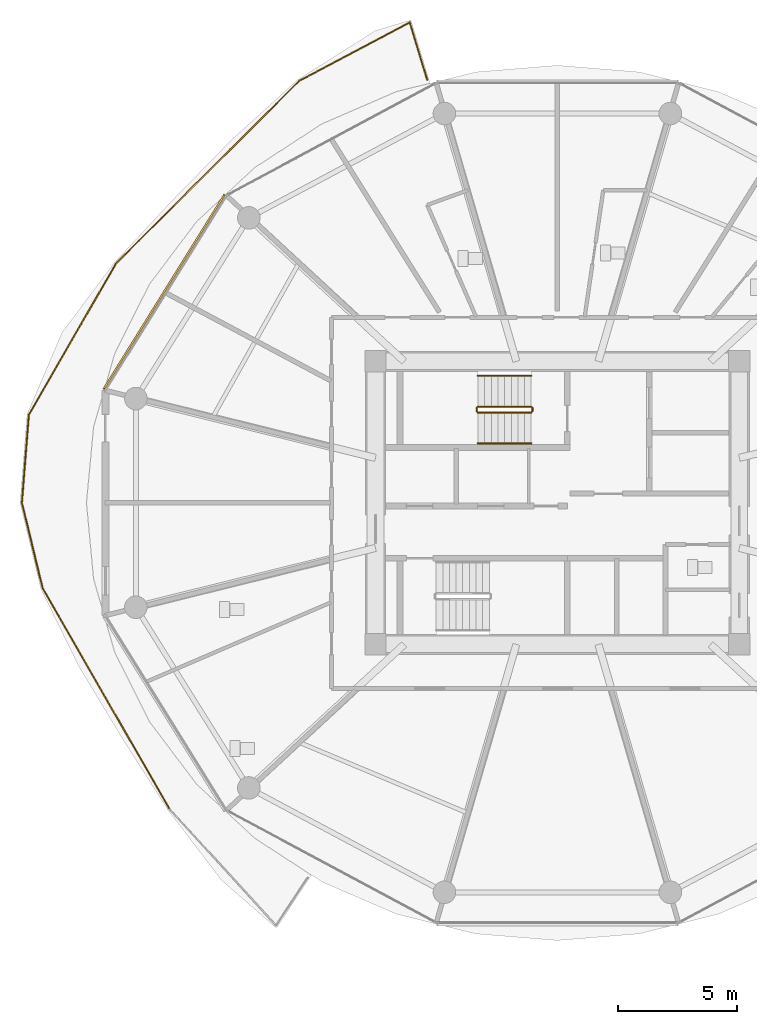
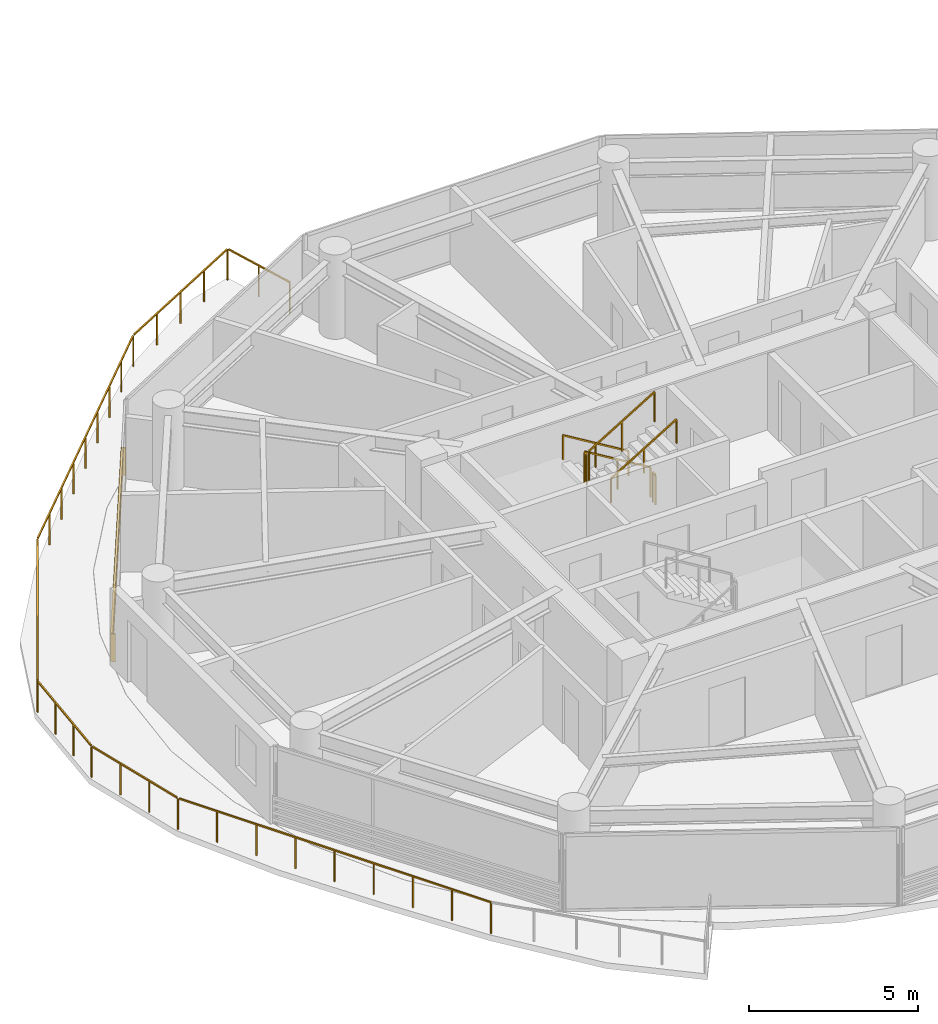
# One storey, part 23 of 27: 7 railings, 1 shading device.
"""IFC4 building model written with IfcOpenShell, lengths in metres."""

import ifcopenshell
import ifcopenshell.guid

model = None  # the IFC model being written
_history = None  # IfcOwnerHistory: only IFC2X3 demands one
_inside = {}  # id of a spatial element -> (the spatial element, [elements in it])
_under = {}  # id of a project, library or spatial element -> (it, [spatial elements below it])
_declared = {}  # id of a project -> (the project, [libraries it declares])
_typed = {}  # id of a type object -> (the type object, [elements of that type])
_made_of = {}  # id of a material, layer set ... -> (it, [elements and type objects made of it])


def new_model(schema):
    """Start an empty IFC model of exactly this schema.

    Asked for "IFC4X3", IfcOpenShell would pick the latest addendum, in which some entities
    have other attributes; the version numbers below select the first issue.
    IFC2X3 requires an IfcOwnerHistory on every rooted entity: one is made here for all.
    """
    global model, _history
    if schema == "IFC4X3":
        model = ifcopenshell.file(schema_version=(4, 3, 0, 0))
    else:
        model = ifcopenshell.file(schema=schema)
    _inside.clear()
    _under.clear()
    _declared.clear()
    _typed.clear()
    _made_of.clear()
    _history = None
    if model.schema == "IFC2X3":
        org = make("IfcOrganization", Name="unknown")
        user = make(
            "IfcPersonAndOrganization",
            ThePerson=make("IfcPerson", FamilyName="unknown"),
            TheOrganization=org,
        )
        app = make(
            "IfcApplication",
            ApplicationDeveloper=org,
            Version="unknown",
            ApplicationFullName="unknown",
            ApplicationIdentifier="unknown",
        )
        _history = make(
            "IfcOwnerHistory",
            OwningUser=user,
            OwningApplication=app,
            ChangeAction="ADDED",
            CreationDate=0,
        )
    return model


def make(cls, **values):
    """One entity of the class cls with the attributes given. An attribute that is None is left unset."""
    return model.create_entity(
        cls, **{name: value for name, value in values.items() if value is not None}
    )


def rooted(cls, **values):
    """An entity with a GlobalId (a new one), such as an element, a storey or a relation."""
    return make(cls, GlobalId=ifcopenshell.guid.new(), OwnerHistory=_history, **values)


def si_unit(unit_type, name, prefix=None):
    """IfcSIUnit, for example si_unit("LENGTHUNIT", "METRE", prefix="MILLI")."""
    return make("IfcSIUnit", UnitType=unit_type, Prefix=prefix, Name=name)


def assignment(units):
    """IfcUnitAssignment: the units of a project."""
    return None if units is None else make("IfcUnitAssignment", Units=units)


def point(xyz):
    """IfcCartesianPoint."""
    return None if xyz is None else make("IfcCartesianPoint", Coordinates=xyz)


def direction(xyz):
    """IfcDirection."""
    return None if xyz is None else make("IfcDirection", DirectionRatios=xyz)


def frame(location, z_axis=None, x_axis=None):
    """IfcAxis2Placement3D, a coordinate frame: its origin and axes. An axis left out is left unset."""
    return make(
        "IfcAxis2Placement3D",
        Location=point(location),
        Axis=direction(z_axis),
        RefDirection=direction(x_axis),
    )


def frame_2d(location, x_axis=None):
    """IfcAxis2Placement2D, a coordinate frame in the plane: its origin and x axis."""
    return make(
        "IfcAxis2Placement2D", Location=point(location), RefDirection=direction(x_axis)
    )


def origin():
    """The frame at (0, 0, 0) with its axes left unset."""
    return frame((0.0, 0.0, 0.0))


def origin_2d():
    """The frame at (0, 0) in the plane with its x axis left unset."""
    return frame_2d((0.0, 0.0))


def place(relative_to, where):
    """IfcLocalPlacement: puts the frame where relative to a parent placement (None: the world)."""
    return make(
        "IfcLocalPlacement", PlacementRelTo=relative_to, RelativePlacement=where
    )


def context(
    kind, dimensions, precision=None, world=None, true_north=None, identifier=None
):
    """IfcGeometricRepresentationContext, for example the 3D "Model" context."""
    return make(
        "IfcGeometricRepresentationContext",
        ContextIdentifier=identifier,
        ContextType=kind,
        CoordinateSpaceDimension=dimensions,
        Precision=precision,
        WorldCoordinateSystem=world,
        TrueNorth=true_north,
    )


def subcontext(parent, identifier, kind, view, scale=None):
    """IfcGeometricRepresentationSubContext, for example "Body" below "Model"."""
    return make(
        "IfcGeometricRepresentationSubContext",
        ContextIdentifier=identifier,
        ContextType=kind,
        ParentContext=parent,
        TargetScale=scale,
        TargetView=view,
    )


def project(units=None, contexts=None):
    """IfcProject with its units and contexts."""
    return rooted(
        "IfcProject",
        Name="project",
        RepresentationContexts=contexts,
        UnitsInContext=assignment(units),
    )


def spatial(cls, under=None, at=None, **own):
    """A site, building, storey or space (cls), placed at a placement, below another one or the project."""
    s = rooted(cls, ObjectPlacement=at, **own)
    if under is not None:
        _under.setdefault(under.id(), (under, []))[1].append(s)
    return s


def profile(cls, at=None, kind="AREA", **sizes):
    """A parametric profile (cls). Its sizes go by their IFC names, for example OverallWidth=200.0."""
    return make(cls, ProfileType=kind, Position=at, **sizes)


def rectangle(**sizes):
    """IfcRectangleProfileDef."""
    return profile("IfcRectangleProfileDef", **sizes)


def extrude(swept, where, along, depth):
    """IfcExtrudedAreaSolid: the profile swept, set in the frame where, extruded along a direction by depth."""
    return make(
        "IfcExtrudedAreaSolid",
        SweptArea=swept,
        Position=where,
        ExtrudedDirection=direction(along),
        Depth=depth,
    )


def shape(context_of_items, identifier, shape_type, items):
    """IfcShapeRepresentation: the items that make up one representation, for example the "Body"."""
    return make(
        "IfcShapeRepresentation",
        ContextOfItems=context_of_items,
        RepresentationIdentifier=identifier,
        RepresentationType=shape_type,
        Items=items,
    )


def source(mapping_origin, context_of_items, identifier, shape_type, items):
    """IfcRepresentationMap: a shape defined once, which mapped items show again and again."""
    return make(
        "IfcRepresentationMap",
        MappingOrigin=mapping_origin,
        MappedRepresentation=shape(context_of_items, identifier, shape_type, items),
    )


def transform(
    local_origin,
    x_axis=None,
    y_axis=None,
    z_axis=None,
    scale=None,
    scale2=None,
    scale3=None,
    uniform=True,
):
    """IfcCartesianTransformationOperator3D, or its non-uniform kind. x_axis, y_axis, z_axis: its Axis1, 2, 3."""
    if uniform:
        return make(
            "IfcCartesianTransformationOperator3D",
            Axis1=direction(x_axis),
            Axis2=direction(y_axis),
            LocalOrigin=point(local_origin),
            Scale=scale,
            Axis3=direction(z_axis),
        )
    return make(
        "IfcCartesianTransformationOperator3DnonUniform",
        Axis1=direction(x_axis),
        Axis2=direction(y_axis),
        LocalOrigin=point(local_origin),
        Scale=scale,
        Axis3=direction(z_axis),
        Scale2=scale2,
        Scale3=scale3,
    )


def mapped(mapping_source, mapping_target):
    """IfcMappedItem: shows the shape of a source again, moved by a transform."""
    return make(
        "IfcMappedItem", MappingSource=mapping_source, MappingTarget=mapping_target
    )


def material(Name=None, Category=None):
    """IfcMaterial."""
    return make("IfcMaterial", Name=Name, Category=Category)


def made_of(thing, what):
    """Note that an element or type object is made of a material, layer set ...; save() writes the relation."""
    if what is not None:
        _made_of.setdefault(what.id(), (what, []))[1].append(thing)
    return thing


def type_object(cls, material=None, **own):
    """A type object (cls), such as IfcWallType, which elements share."""
    return made_of(rooted(cls, **own), material)


def type_shapes(of_type, sources):
    """Give a type object the sources (RepresentationMaps) that its elements show as mapped items."""
    of_type.RepresentationMaps = sources


def element(
    cls,
    number,
    at=None,
    inside=None,
    cuts=None,
    type_object=None,
    material=None,
    context=None,
    identifier="Body",
    shape_type=None,
    held_by="IfcProductDefinitionShape",
    body=None,
    shapes=None,
    **own,
):
    """One element of the class cls, such as IfcWall. Its Tag is "e" and its number.

    at: its placement. inside: the storey or other place that contains it. cuts: it is an
    opening in that element (IfcRelVoidsElement). A single representation is given by context,
    identifier, shape_type and body (its items); several are given by shapes. held_by: the class
    of the entity that holds the representations. save() writes the other relations.
    """
    e = rooted(cls, Tag="e%d" % number, ObjectPlacement=at, **own)
    if body is not None:
        shapes = [shape(context, identifier, shape_type, body)]
    if shapes is not None:
        e.Representation = make(held_by, Representations=shapes)
    if inside is not None:
        _inside.setdefault(inside.id(), (inside, []))[1].append(e)
    if cuts is not None:
        rooted(
            "IfcRelVoidsElement", RelatingBuildingElement=cuts, RelatedOpeningElement=e
        )
    if type_object is not None:
        _typed.setdefault(type_object.id(), (type_object, []))[1].append(e)
    return made_of(e, material)


def aggregate(whole, parts):
    """IfcRelAggregates: a whole, such as a stair, and the parts it consists of."""
    return rooted("IfcRelAggregates", RelatingObject=whole, RelatedObjects=parts)


def save(model, path):
    """Write the relations noted so far, then the file.

    IfcRelAggregates (storeys below a building ...), IfcRelContainedInSpatialStructure (elements
    in a storey), IfcRelDefinesByType, IfcRelAssociatesMaterial and IfcRelDeclares: one each for
    every whole, place, type object, material and project.
    """
    for whole, parts in _under.values():
        aggregate(whole, parts)
    for where, things in _inside.values():
        rooted(
            "IfcRelContainedInSpatialStructure",
            RelatedElements=things,
            RelatingStructure=where,
        )
    for kind, things in _typed.values():
        rooted("IfcRelDefinesByType", RelatedObjects=things, RelatingType=kind)
    for what, things in _made_of.values():
        rooted("IfcRelAssociatesMaterial", RelatedObjects=things, RelatingMaterial=what)
    for by, libraries in _declared.values():
        rooted("IfcRelDeclares", RelatingContext=by, RelatedDefinitions=libraries)
    model.write(path)


model = new_model("IFC4")

# Units and contexts
model_context = context("Model", 3, precision=1e-05, world=origin(), true_north=direction((0.0, 1.0)))
body_context = subcontext(model_context, "Body", "Model", "MODEL_VIEW")
ifc_project = project(units=[si_unit("LENGTHUNIT", "METRE"), si_unit("AREAUNIT", "SQUARE_METRE"), si_unit("VOLUMEUNIT", "CUBIC_METRE"), si_unit("PLANEANGLEUNIT", "RADIAN"), si_unit("MASSUNIT", "GRAM", prefix="KILO")], contexts=[model_context])

# Site, building, storey
site_placement = place(None, origin())
site = spatial("IfcSite", under=ifc_project, at=site_placement, CompositionType="ELEMENT")
building_placement = place(site_placement, origin())
building = spatial("IfcBuilding", under=site, at=building_placement, Name="Norrkilde Senior Care Towers", CompositionType="ELEMENT")
storey_placement = place(building_placement, frame((0.0, 0.0, 36.85009765625)))
storey = spatial("IfcBuildingStorey", under=building, at=storey_placement, Name="L10", CompositionType="ELEMENT", Elevation=36.85009765625)

# Railings
ifc_material_1 = material(Name="Anodised Aluminium", Category="aluminium")
railing_type_1 = type_object("IfcRailingType", Name="Balcony Swirl Ribbon Guardrail 1150", PredefinedType="GUARDRAIL", material=ifc_material_1)
railing_1_placement = place(storey_placement, frame((-44.3095703125, -12.87158203125, 0.0)))
element("IfcRailing", 1, at=railing_1_placement, inside=storey, type_object=railing_type_1, Name="L10 Perimeter Safety Guard 03", PredefinedType="GUARDRAIL", context=body_context, shape_type="SweptSolid", body=[
    extrude(rectangle(XDim=0.048095703125, YDim=0.048095703125, at=origin_2d()), frame((0.0, 0.0, 1.1259765625), z_axis=(-0.49822988635, 0.867044970199, 0.0), x_axis=(-0.867044970199, -0.49822988635, 0.0)), (0.0, 0.0, 1.0), 10.6650390625),
    extrude(rectangle(XDim=0.048095703125, YDim=0.048095703125, at=origin_2d()), frame((-5.343505859375, 9.322265625, 1.1259765625), z_axis=(-0.235651020329, 0.971837741919, 0.0), x_axis=(-0.971837741919, -0.235651020329, 0.0)), (0.0, 0.0, 1.0), 3.617919921875),
    extrude(rectangle(XDim=0.048095703125, YDim=0.048095703125, at=origin_2d()), frame((-6.20263671875, 12.918701171875, 1.1259765625), z_axis=(0.078582100021, 0.99690764545, 0.0), x_axis=(-0.99690764545, 0.078582100021, 0.0)), (0.0, 0.0, 1.0), 3.630859375),
    extrude(rectangle(XDim=0.048095703125, YDim=0.048095703125, at=origin_2d()), frame((-5.8935546875, 16.614501953125, 1.1259765625), z_axis=(0.499092422139, 0.866548760407, 0.0), x_axis=(-0.866548760407, 0.499092422139, 0.0)), (0.0, 0.0, 1.0), 7.25537109375),
    extrude(rectangle(XDim=0.048095703125, YDim=0.048095703125, at=origin_2d()), frame((-2.22314453125, 22.9658203125, 1.1259765625), z_axis=(0.70837372333, 0.705837564951, 0.0), x_axis=(-0.705837564951, 0.70837372333, 0.0)), (0.0, 0.0, 1.0), 10.796142578125),
    extrude(rectangle(XDim=0.048095703125, YDim=0.048095703125, at=origin_2d()), frame((5.489501953125, 30.634033203125, 1.1259765625), z_axis=(0.883581160477, 0.468278050789, 0.0), x_axis=(-0.468278050789, 0.883581160477, 0.0)), (0.0, 0.0, 1.0), 5.1767578125),
    extrude(rectangle(XDim=0.048095703125, YDim=0.048095703125, at=origin_2d()), frame((10.111572265625, 33.038330078125, 1.1259765625), z_axis=(0.290177027206, -0.956972984406, 0.0), x_axis=(0.956972984406, 0.290177027206, 0.0)), (0.0, 0.0, 1.0), 2.4755859375),
    extrude(rectangle(XDim=0.0419921875, YDim=0.0419921875, at=origin_2d()), origin(), (0.0, 0.0, 1.0), 1.099853515625),
    extrude(rectangle(XDim=0.0419921875, YDim=0.0419921875, at=origin_2d()), frame((-0.666748046875, 1.160400390625, 0.0)), (0.0, 0.0, 1.0), 1.099853515625),
    extrude(rectangle(XDim=0.0419921875, YDim=0.0419921875, at=origin_2d()), frame((-1.33349609375, 2.320556640625, 0.0)), (0.0, 0.0, 1.0), 1.099853515625),
    extrude(rectangle(XDim=0.0419921875, YDim=0.0419921875, at=origin_2d()), frame((-2.000244140625, 3.48095703125, 0.0)), (0.0, 0.0, 1.0), 1.099853515625),
    extrude(rectangle(XDim=0.0419921875, YDim=0.0419921875, at=origin_2d()), frame((-2.6669921875, 4.64111328125, 0.0)), (0.0, 0.0, 1.0), 1.099853515625),
    extrude(rectangle(XDim=0.0419921875, YDim=0.0419921875, at=origin_2d()), frame((-3.333740234375, 5.801513671875, 0.0)), (0.0, 0.0, 1.0), 1.099853515625),
    extrude(rectangle(XDim=0.0419921875, YDim=0.0419921875, at=origin_2d()), frame((-4.00048828125, 6.9619140625, 0.0)), (0.0, 0.0, 1.0), 1.099853515625),
    extrude(rectangle(XDim=0.0419921875, YDim=0.0419921875, at=origin_2d()), frame((-4.667236328125, 8.1220703125, 0.0)), (0.0, 0.0, 1.0), 1.099853515625),
    extrude(rectangle(XDim=0.0419921875, YDim=0.0419921875, at=origin_2d()), frame((-5.333984375, 9.282470703125, 0.0)), (0.0, 0.0, 1.0), 1.099853515625),
    extrude(rectangle(XDim=0.0419921875, YDim=0.0419921875, at=origin_2d()), frame((-5.62451171875, 10.48095703125, 0.0)), (0.0, 0.0, 1.0), 1.099853515625),
    extrude(rectangle(XDim=0.0419921875, YDim=0.0419921875, at=origin_2d()), frame((-5.915283203125, 11.679443359375, 0.0)), (0.0, 0.0, 1.0), 1.099853515625),
    extrude(rectangle(XDim=0.0419921875, YDim=0.0419921875, at=origin_2d()), frame((-6.205810546875, 12.8779296875, 0.0)), (0.0, 0.0, 1.0), 1.099853515625),
    extrude(rectangle(XDim=0.0419921875, YDim=0.0419921875, at=origin_2d()), frame((-6.108642578125, 14.111572265625, 0.0)), (0.0, 0.0, 1.0), 1.099853515625),
    extrude(rectangle(XDim=0.0419921875, YDim=0.0419921875, at=origin_2d()), frame((-6.01123046875, 15.345458984375, 0.0)), (0.0, 0.0, 1.0), 1.099853515625),
    extrude(rectangle(XDim=0.0419921875, YDim=0.0419921875, at=origin_2d()), frame((-5.9140625, 16.5791015625, 0.0)), (0.0, 0.0, 1.0), 1.099853515625),
    extrude(rectangle(XDim=0.0419921875, YDim=0.0419921875, at=origin_2d()), frame((-5.181640625, 17.8505859375, 0.0)), (0.0, 0.0, 1.0), 1.099853515625),
    extrude(rectangle(XDim=0.0419921875, YDim=0.0419921875, at=origin_2d()), frame((-4.44921875, 19.122314453125, 0.0)), (0.0, 0.0, 1.0), 1.099853515625),
    extrude(rectangle(XDim=0.0419921875, YDim=0.0419921875, at=origin_2d()), frame((-3.717041015625, 20.393798828125, 0.0)), (0.0, 0.0, 1.0), 1.099853515625),
    extrude(rectangle(XDim=0.0419921875, YDim=0.0419921875, at=origin_2d()), frame((-2.984619140625, 21.66552734375, 0.0)), (0.0, 0.0, 1.0), 1.099853515625),
    extrude(rectangle(XDim=0.0419921875, YDim=0.0419921875, at=origin_2d()), frame((-2.252197265625, 22.93701171875, 0.0)), (0.0, 0.0, 1.0), 1.099853515625),
    extrude(rectangle(XDim=0.0419921875, YDim=0.0419921875, at=origin_2d()), frame((-1.2890625, 23.896728515625, 0.0)), (0.0, 0.0, 1.0), 1.099853515625),
    extrude(rectangle(XDim=0.0419921875, YDim=0.0419921875, at=origin_2d()), frame((-0.32568359375, 24.8564453125, 0.0)), (0.0, 0.0, 1.0), 1.099853515625),
    extrude(rectangle(XDim=0.0419921875, YDim=0.0419921875, at=origin_2d()), frame((0.637451171875, 25.816162109375, 0.0)), (0.0, 0.0, 1.0), 1.099853515625),
    extrude(rectangle(XDim=0.0419921875, YDim=0.0419921875, at=origin_2d()), frame((1.6005859375, 26.77587890625, 0.0)), (0.0, 0.0, 1.0), 1.099853515625),
    extrude(rectangle(XDim=0.0419921875, YDim=0.0419921875, at=origin_2d()), frame((2.563720703125, 27.73583984375, 0.0)), (0.0, 0.0, 1.0), 1.099853515625),
    extrude(rectangle(XDim=0.0419921875, YDim=0.0419921875, at=origin_2d()), frame((3.52685546875, 28.695556640625, 0.0)), (0.0, 0.0, 1.0), 1.099853515625),
    extrude(rectangle(XDim=0.0419921875, YDim=0.0419921875, at=origin_2d()), frame((4.490234375, 29.6552734375, 0.0)), (0.0, 0.0, 1.0), 1.099853515625),
    extrude(rectangle(XDim=0.0419921875, YDim=0.0419921875, at=origin_2d()), frame((5.453369140625, 30.614990234375, 0.0)), (0.0, 0.0, 1.0), 1.099853515625),
    extrude(rectangle(XDim=0.0419921875, YDim=0.0419921875, at=origin_2d()), frame((6.614990234375, 31.23046875, 0.0)), (0.0, 0.0, 1.0), 1.099853515625),
    extrude(rectangle(XDim=0.0419921875, YDim=0.0419921875, at=origin_2d()), frame((7.7763671875, 31.84619140625, 0.0)), (0.0, 0.0, 1.0), 1.099853515625),
    extrude(rectangle(XDim=0.0419921875, YDim=0.0419921875, at=origin_2d()), frame((8.93798828125, 32.4619140625, 0.0)), (0.0, 0.0, 1.0), 1.099853515625),
    extrude(rectangle(XDim=0.0419921875, YDim=0.0419921875, at=origin_2d()), frame((10.099609375, 33.077392578125, 0.0)), (0.0, 0.0, 1.0), 1.099853515625),
    extrude(rectangle(XDim=0.0419921875, YDim=0.0419921875, at=origin_2d()), frame((10.46484375, 31.873291015625, 0.0)), (0.0, 0.0, 1.0), 1.099853515625),
    extrude(rectangle(XDim=0.0419921875, YDim=0.0419921875, at=origin_2d()), frame((10.829833984375, 30.669189453125, 0.0)), (0.0, 0.0, 1.0), 1.099853515625),
])
ifc_material_2 = material(Name="Stainless Steel", Category="steel")
railing_type_2 = type_object("IfcRailingType", Name="Stair and Terrace Guardrail 1100", PredefinedType="GUARDRAIL", material=ifc_material_2)
railing_2_placement = place(storey_placement, frame((-29.10009765625, 4.050048828125, 0.16943359375)))
element("IfcRailing", 2, at=railing_2_placement, inside=storey, type_object=railing_type_2, Name="L10 ST-W1 stair guard 1", PredefinedType="GUARDRAIL", context=body_context, shape_type="SweptSolid", body=[
    extrude(rectangle(XDim=0.048095703125, YDim=0.048095703125, at=origin_2d()), frame((0.0, 0.0, 1.076171875), z_axis=(-0.855553338991, 0.0, 0.51771467445), x_axis=(0.0, -1.0, 0.0)), (0.0, 0.0, 1.0), 2.6181640625),
    extrude(rectangle(XDim=0.0419921875, YDim=0.0419921875, at=origin_2d()), origin(), (0.0, 0.0, 1.0), 1.050048828125),
    extrude(rectangle(XDim=0.0419921875, YDim=0.0419921875, at=origin_2d()), frame((-1.1201171875, 0.0, 0.677734375)), (0.0, 0.0, 1.0), 1.050048828125),
    extrude(rectangle(XDim=0.0419921875, YDim=0.0419921875, at=origin_2d()), frame((-2.239990234375, 0.0, 1.35546875)), (0.0, 0.0, 1.0), 1.050048828125),
])
railing_3_placement = place(storey_placement, frame((-31.389892578125, 4.0, 1.52490234375)))
element("IfcRailing", 3, at=railing_3_placement, inside=storey, type_object=railing_type_2, Name="L10 ST-W1 stair guard 2", PredefinedType="GUARDRAIL", context=body_context, shape_type="SweptSolid", body=[
    extrude(rectangle(XDim=0.048095703125, YDim=0.048095703125, at=origin_2d()), frame((0.0, 0.0, 1.076171875), z_axis=(0.0, -1.0, 0.0), x_axis=(1.0, 0.0, 0.0)), (0.0, 0.0, 1.0), 0.14990234375),
    extrude(rectangle(XDim=0.0419921875, YDim=0.0419921875, at=origin_2d()), origin(), (0.0, 0.0, 1.0), 1.050048828125),
    extrude(rectangle(XDim=0.0419921875, YDim=0.0419921875, at=origin_2d()), frame((0.0, -0.14990234375, 0.0)), (0.0, 0.0, 1.0), 1.050048828125),
])
railing_4_placement = place(storey_placement, frame((-31.340087890625, 3.800048828125, 1.6943359375)))
element("IfcRailing", 4, at=railing_4_placement, inside=storey, type_object=railing_type_2, Name="L10 ST-W1 stair guard 3", PredefinedType="GUARDRAIL", context=body_context, shape_type="SweptSolid", body=[
    extrude(rectangle(XDim=0.048095703125, YDim=0.048095703125, at=origin_2d()), frame((0.0, 0.0, 1.076171875), z_axis=(0.855553338991, 0.0, 0.51771467445), x_axis=(0.0, 1.0, 0.0)), (0.0, 0.0, 1.0), 2.6181640625),
    extrude(rectangle(XDim=0.0419921875, YDim=0.0419921875, at=origin_2d()), origin(), (0.0, 0.0, 1.0), 1.050048828125),
    extrude(rectangle(XDim=0.0419921875, YDim=0.0419921875, at=origin_2d()), frame((1.1201171875, 0.0, 0.677734375)), (0.0, 0.0, 1.0), 1.050048828125),
    extrude(rectangle(XDim=0.0419921875, YDim=0.0419921875, at=origin_2d()), frame((2.239990234375, 0.0, 1.35546875)), (0.0, 0.0, 1.0), 1.050048828125),
])
railing_5_placement = place(storey_placement, frame((-29.050048828125, 4.0, 0.0)))
element("IfcRailing", 5, at=railing_5_placement, inside=storey, type_object=railing_type_2, Name="L10 ST-W1 stair guard 4", PredefinedType="GUARDRAIL", context=body_context, shape_type="SweptSolid", body=[
    extrude(rectangle(XDim=0.048095703125, YDim=0.048095703125, at=origin_2d()), frame((0.0, 0.0, 1.076171875), z_axis=(0.0, -1.0, 0.0), x_axis=(1.0, 0.0, 0.0)), (0.0, 0.0, 1.0), 0.14990234375),
    extrude(rectangle(XDim=0.0419921875, YDim=0.0419921875, at=origin_2d()), origin(), (0.0, 0.0, 1.0), 1.050048828125),
    extrude(rectangle(XDim=0.0419921875, YDim=0.0419921875, at=origin_2d()), frame((0.0, -0.14990234375, 0.0)), (0.0, 0.0, 1.0), 1.050048828125),
])
ifc_material_3 = material(Name="Nordic Ash Timber", Category="wood")
railing_type_3 = type_object("IfcRailingType", Name="Wall and Stair Handrail 900", PredefinedType="HANDRAIL", material=ifc_material_3)
railing_6_placement = place(storey_placement, frame((-29.10009765625, 5.35009765625, 0.16943359375)))
element("IfcRailing", 6, at=railing_6_placement, inside=storey, type_object=railing_type_3, Name="L10 ST-W1 stair handrail 1", PredefinedType="HANDRAIL", context=body_context, shape_type="SweptSolid", body=[
    extrude(rectangle(XDim=0.048095703125, YDim=0.048095703125, at=origin_2d()), frame((0.0, 0.0, 0.8759765625), z_axis=(-0.855553338991, 0.0, 0.51771467445), x_axis=(0.0, -1.0, 0.0)), (0.0, 0.0, 1.0), 2.6181640625),
    extrude(rectangle(XDim=0.0419921875, YDim=0.0419921875, at=origin_2d()), origin(), (0.0, 0.0, 1.0), 0.849853515625),
    extrude(rectangle(XDim=0.0419921875, YDim=0.0419921875, at=origin_2d()), frame((-1.1201171875, 0.0, 0.677734375)), (0.0, 0.0, 1.0), 0.849853515625),
    extrude(rectangle(XDim=0.0419921875, YDim=0.0419921875, at=origin_2d()), frame((-2.239990234375, 0.0, 1.35546875)), (0.0, 0.0, 1.0), 0.849853515625),
])
railing_7_placement = place(storey_placement, frame((-31.340087890625, 2.5, 1.6943359375)))
element("IfcRailing", 7, at=railing_7_placement, inside=storey, type_object=railing_type_3, Name="L10 ST-W1 stair handrail 2", PredefinedType="HANDRAIL", context=body_context, shape_type="SweptSolid", body=[
    extrude(rectangle(XDim=0.048095703125, YDim=0.048095703125, at=origin_2d()), frame((0.0, 0.0, 0.8759765625), z_axis=(0.855553338991, 0.0, 0.51771467445), x_axis=(0.0, 1.0, 0.0)), (0.0, 0.0, 1.0), 2.6181640625),
    extrude(rectangle(XDim=0.0419921875, YDim=0.0419921875, at=origin_2d()), origin(), (0.0, 0.0, 1.0), 0.849853515625),
    extrude(rectangle(XDim=0.0419921875, YDim=0.0419921875, at=origin_2d()), frame((1.1201171875, 0.0, 0.677734375)), (0.0, 0.0, 1.0), 0.849853515625),
    extrude(rectangle(XDim=0.0419921875, YDim=0.0419921875, at=origin_2d()), frame((2.239990234375, 0.0, 1.35546875)), (0.0, 0.0, 1.0), 0.849853515625),
])

# Shading device
ifc_material_4 = material(Name="Architectural Terracotta", Category="masonry")
shading_device_type = type_object("IfcShadingDeviceType", Name="Horizontal Terracotta Baguette Rack", PredefinedType="USERDEFINED", material=ifc_material_4)
shared_shape = source(origin(), body_context, "Body", "SweptSolid", [
    extrude(rectangle(XDim=0.070068359375, YDim=0.110107421875, at=origin_2d()), frame((0.0, 0.090087890625, 0.125), z_axis=(1.0, 0.0, 0.0), x_axis=(0.0, 1.0, 0.0)), (0.0, 0.0, 1.0), 9.64892578125),
    extrude(rectangle(XDim=0.070068359375, YDim=0.110107421875, at=origin_2d()), frame((0.0, 0.090087890625, 0.375), z_axis=(1.0, 0.0, 0.0), x_axis=(0.0, 1.0, 0.0)), (0.0, 0.0, 1.0), 9.64892578125),
    extrude(rectangle(XDim=0.070068359375, YDim=0.110107421875, at=origin_2d()), frame((0.0, 0.090087890625, 0.625), z_axis=(1.0, 0.0, 0.0), x_axis=(0.0, 1.0, 0.0)), (0.0, 0.0, 1.0), 9.64892578125),
    extrude(rectangle(XDim=0.070068359375, YDim=0.110107421875, at=origin_2d()), frame((0.0, 0.090087890625, 0.875), z_axis=(1.0, 0.0, 0.0), x_axis=(0.0, 1.0, 0.0)), (0.0, 0.0, 1.0), 9.64892578125),
    extrude(rectangle(XDim=0.050048828125, YDim=0.1552734375, at=origin_2d()), frame((0.02490234375, 0.047607421875, 0.0)), (0.0, 0.0, 1.0), 1.0),
    extrude(rectangle(XDim=0.050048828125, YDim=0.1552734375, at=origin_2d()), frame((9.6240234375, 0.047607421875, 0.0)), (0.0, 0.0, 1.0), 1.0),
])
type_shapes(shading_device_type, [shared_shape])
shading_device_placement = place(storey_placement, frame((-47.009521484375, 4.731201171875, 0.079833984375), z_axis=(0.0, 0.0, 1.0), x_axis=(0.527908506655, 0.849299124538, 0.0)))
element("IfcShadingDevice", 8, at=shading_device_placement, inside=storey, type_object=shading_device_type, Name="L10 Drum W Terracotta Baguette Screen 04", ObjectType="BAGUETTE", PredefinedType="USERDEFINED", context=body_context, shape_type="MappedRepresentation", body=[
    mapped(shared_shape, transform((0.0, 0.0, 0.0), x_axis=(1.0, 0.0, 0.0), y_axis=(0.0, 1.0, 0.0), z_axis=(0.0, 0.0, 1.0), scale=1.0)),
])

save(model, "model.ifc")
